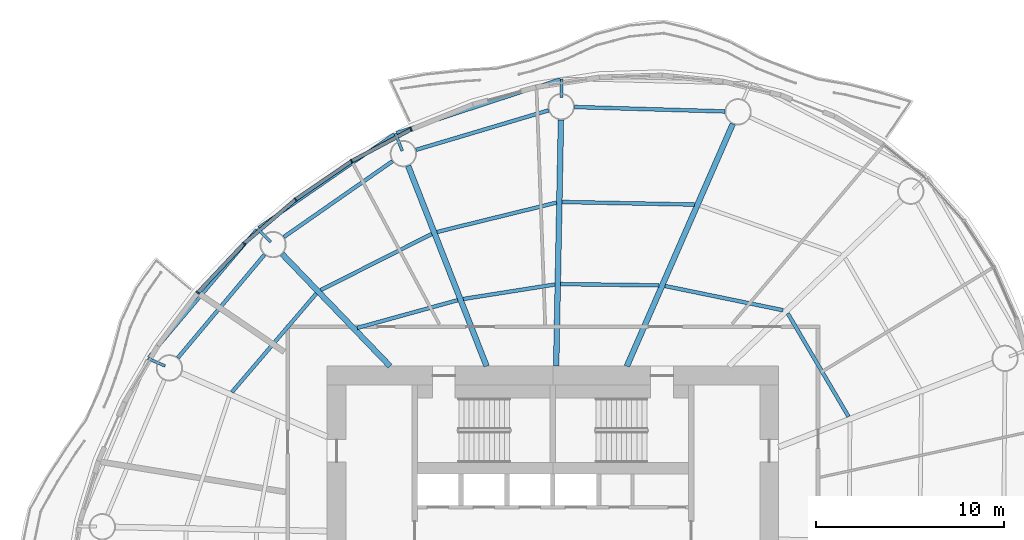
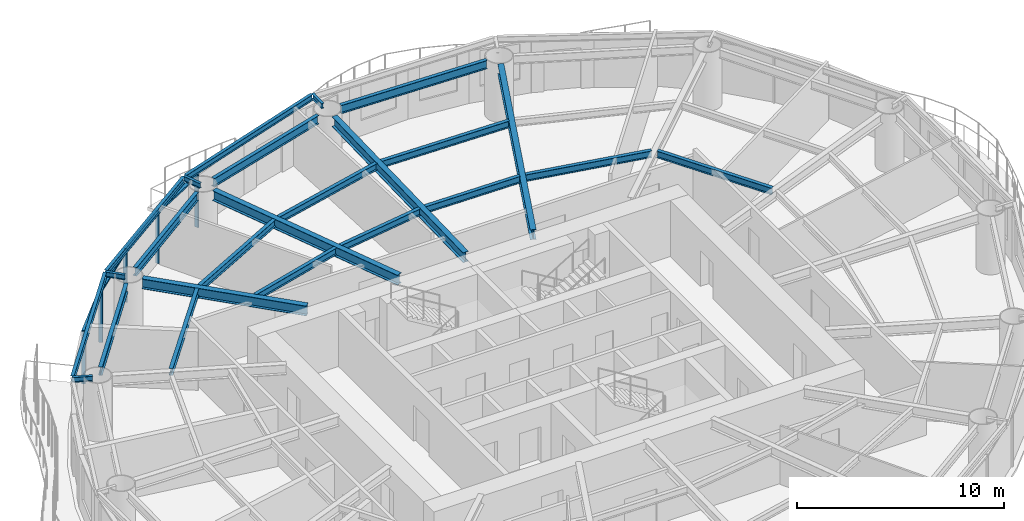
# One storey, part 5 of 15: 24 beams, 9 members, 4 elements without a shape of their own.
"""IFC4 building model written with IfcOpenShell, lengths in metres."""

from ifc_helpers import new_model, si_unit, direction, frame, origin, origin_2d, place, context, subcontext, project, spatial, rectangle, i_section, extrude, material, material_profile, profile_set, type_object, element, aggregate, save


model = new_model("IFC4")

# Units and contexts
model_context = context("Model", 3, precision=1e-05, world=origin(), true_north=direction((0.0, 1.0)))
body_context = subcontext(model_context, "Body", "Model", "MODEL_VIEW")
ifc_project = project(units=[si_unit("LENGTHUNIT", "METRE"), si_unit("AREAUNIT", "SQUARE_METRE"), si_unit("VOLUMEUNIT", "CUBIC_METRE"), si_unit("PLANEANGLEUNIT", "RADIAN"), si_unit("MASSUNIT", "GRAM", prefix="KILO")], contexts=[model_context])

# Site, building, storey
site_placement = place(None, origin())
site = spatial("IfcSite", under=ifc_project, at=site_placement, CompositionType="ELEMENT")
building_placement = place(site_placement, origin())
building = spatial("IfcBuilding", under=site, at=building_placement, Name="Vermilion Reach Broadcast Tower", CompositionType="ELEMENT")
storey_placement = place(building_placement, frame((0.0, 0.0, 183.0)))
storey = spatial("IfcBuildingStorey", under=building, at=storey_placement, Name="L44", CompositionType="ELEMENT", Elevation=183.0)

# Beams
ifc_material_1 = material(Name="Steel S355J2", Category="steel")
ifc_material_profile_1 = material_profile(ifc_material_1, i_section(OverallWidth=0.175048828125, OverallDepth=0.35009765625, WebThickness=0.007080078125, FlangeThickness=0.010986328125, at=origin_2d()), Name="S355J2 HN 350x175x7x11")
ifc_profile_set_1 = profile_set([ifc_material_profile_1], Name="Steel S355J2")
beam_type_1 = type_object("IfcBeamType", Name="EB3 HN 350x175x7x11", PredefinedType="BEAM", material=ifc_profile_set_1)
beam_1_placement = place(storey_placement, frame((-5.60498046875, 24.253173828125, 3.27490234375), z_axis=(-0.950176969357, -0.311710966928, 0.0), x_axis=(0.311710966928, -0.950176969357, 0.0)))
element("IfcBeam", 1, at=beam_1_placement, inside=storey, type_object=beam_type_1, Name="Edge beam EB3-03", PredefinedType="BEAM", context=body_context, shape_type="SweptSolid", body=[
    extrude(i_section(OverallWidth=0.175048828125, OverallDepth=0.35009765625, WebThickness=0.007080078125, FlangeThickness=0.010986328125, at=origin_2d()), origin(), (0.0, 0.0, 1.0), 9.15283203125),
])
beam_2_placement = place(storey_placement, frame((-14.4365234375, 21.3330078125, 3.27490234375), z_axis=(-0.822726304078, -0.568437708618, 0.0), x_axis=(0.568437708618, -0.822726304078, 0.0)))
element("IfcBeam", 2, at=beam_2_placement, inside=storey, type_object=beam_type_1, Name="Edge beam EB3-04", PredefinedType="BEAM", context=body_context, shape_type="SweptSolid", body=[
    extrude(i_section(OverallWidth=0.175048828125, OverallDepth=0.35009765625, WebThickness=0.007080078125, FlangeThickness=0.010986328125, at=origin_2d()), origin(), (0.0, 0.0, 1.0), 8.748291015625),
])
beam_3_placement = place(storey_placement, frame((-21.745361328125, 16.25927734375, 3.27490234375), z_axis=(-0.645529615805, -0.763735238887, 0.0), x_axis=(0.763735238887, -0.645529615805, 0.0)))
element("IfcBeam", 3, at=beam_3_placement, inside=storey, type_object=beam_type_1, Name="Edge beam EB3-05", PredefinedType="BEAM", context=body_context, shape_type="SweptSolid", body=[
    extrude(i_section(OverallWidth=0.175048828125, OverallDepth=0.35009765625, WebThickness=0.007080078125, FlangeThickness=0.010986328125, at=origin_2d()), origin(), (0.0, 0.0, 1.0), 8.887451171875),
])
ifc_material_2 = material(Name="Steel S355J2", Category="steel")
ifc_material_profile_2 = material_profile(ifc_material_2, i_section(OverallWidth=0.300048828125, OverallDepth=0.587890625, WebThickness=0.011962890625, FlangeThickness=0.02001953125, at=origin_2d()), Name="S355J2 HM 588x300x12x20")
ifc_profile_set_2 = profile_set([ifc_material_profile_2], Name="Steel S355J2")
beam_type_2 = type_object("IfcBeamType", Name="G3 HM 588x300x12x20", PredefinedType="BEAM", material=ifc_profile_set_2)
beam_4_placement = place(storey_placement, frame((-2.066162109375, 9.0, 3.156005859375), z_axis=(0.400519113205, 0.916288404356, 0.0), x_axis=(-0.916288404356, 0.400519113205, 0.0)))
element("IfcBeam", 4, at=beam_4_placement, inside=storey, type_object=beam_type_2, Name="Girder G3-02", PredefinedType="BEAM", context=body_context, shape_type="SweptSolid", body=[
    extrude(i_section(OverallWidth=0.300048828125, OverallDepth=0.587890625, WebThickness=0.011962890625, FlangeThickness=0.02001953125, at=origin_2d()), origin(), (0.0, 0.0, 1.0), 14.0595703125),
])
beam_5_placement = place(storey_placement, frame((-5.82568359375, 9.0, 3.156005859375), z_axis=(0.019378372481, 0.99981222171, 0.0), x_axis=(-0.99981222171, 0.019378372481, 0.0)))
element("IfcBeam", 5, at=beam_5_placement, inside=storey, type_object=beam_type_2, Name="Girder G3-03", PredefinedType="BEAM", context=body_context, shape_type="SweptSolid", body=[
    extrude(i_section(OverallWidth=0.300048828125, OverallDepth=0.587890625, WebThickness=0.011962890625, FlangeThickness=0.02001953125, at=origin_2d()), origin(), (0.0, 0.0, 1.0), 13.1025390625),
])
beam_6_placement = place(storey_placement, frame((-9.525146484375, 9.0, 3.156005859375), z_axis=(-0.364715649973, 0.931118947646, 0.0), x_axis=(-0.931118947646, -0.364715649973, 0.0)))
element("IfcBeam", 6, at=beam_6_placement, inside=storey, type_object=beam_type_2, Name="Girder G3-04", PredefinedType="BEAM", context=body_context, shape_type="SweptSolid", body=[
    extrude(i_section(OverallWidth=0.300048828125, OverallDepth=0.587890625, WebThickness=0.011962890625, FlangeThickness=0.02001953125, at=origin_2d()), origin(), (0.0, 0.0, 1.0), 11.436767578125),
])
beam_7_placement = place(storey_placement, frame((-14.657958984375, 9.0, 3.156005859375), z_axis=(-0.693282657492, 0.72066577331, 0.0), x_axis=(-0.72066577331, -0.693282657492, 0.0)))
element("IfcBeam", 7, at=beam_7_placement, inside=storey, type_object=beam_type_2, Name="Girder G3-05", PredefinedType="BEAM", context=body_context, shape_type="SweptSolid", body=[
    extrude(i_section(OverallWidth=0.300048828125, OverallDepth=0.587890625, WebThickness=0.011962890625, FlangeThickness=0.02001953125, at=origin_2d()), origin(), (0.0, 0.0, 1.0), 8.273681640625),
])
ifc_material_3 = material(Name="Steel S355J2", Category="steel")
ifc_material_profile_3 = material_profile(ifc_material_3, i_section(OverallWidth=0.14990234375, OverallDepth=0.300048828125, WebThickness=0.006591796875, FlangeThickness=0.009033203125, at=origin_2d()), Name="S355J2 HN 300x150x6.5x9")
ifc_profile_set_3 = profile_set([ifc_material_profile_3], Name="Steel S355J2")
beam_type_3 = type_object("IfcBeamType", Name="GS3 HN 300x150x6.5x9", PredefinedType="BEAM", material=ifc_profile_set_3)
for number, where, z_axis, x_axis, name in (
    (8, (-5.549072265625, 23.2783203125, 3.300048828125), (0.019532292583, 0.999809226576, 0.0), (-0.999809226576, 0.019532292583, 0.0), "Cantilever stub GS3-03"),
    (9, (-14.008544921875, 20.44580078125, 3.300048828125), (-0.364730702407, 0.931113051526, 0.0), (-0.931113051526, -0.364730702407, 0.0), "Cantilever stub GS3-04"),
    (10, (-21.00341796875, 15.59619140625, 3.300048828125), (-0.69317702606, 0.720767376164, 0.0), (-0.720767376164, -0.69317702606, 0.0), "Cantilever stub GS3-05"),
    (11, (-26.616455078125, 9.011474609375, 3.300048828125), (-0.916330962408, 0.400421736837, 0.0), (-0.400421736837, -0.916330962408, 0.0), "Cantilever stub GS3-06"),
):
    element("IfcBeam", number, at=place(storey_placement, frame(where, z_axis=z_axis, x_axis=x_axis)), inside=storey, type_object=beam_type_3, Name=name, PredefinedType="BEAM", context=body_context, shape_type="SweptSolid", body=[
        extrude(i_section(OverallWidth=0.14990234375, OverallDepth=0.300048828125, WebThickness=0.006591796875, FlangeThickness=0.009033203125, at=origin_2d()), origin(), (0.0, 0.0, 1.0), 1.0),
    ])
ifc_material_4 = material(Name="Steel S355J2", Category="steel")
ifc_material_profile_4 = material_profile(ifc_material_4, i_section(OverallWidth=0.199951171875, OverallDepth=0.5, WebThickness=0.010009765625, FlangeThickness=0.01611328125, at=origin_2d()), Name="S355J2 HN 500x200x10x16")
ifc_profile_set_4 = profile_set([ifc_material_profile_4], Name="Steel S355J2")
beam_type_4 = type_object("IfcBeamType", Name="RB3 HN 500x200x10x16", PredefinedType="BEAM", material=ifc_profile_set_4)
beam_8_placement = place(storey_placement, frame((3.1455078125, 22.544677734375, 3.199951171875), z_axis=(-0.999569781146, 0.029330063427, 0.0), x_axis=(-0.029330063427, -0.999569781146, 0.0)))
element("IfcBeam", 12, at=beam_8_placement, inside=storey, type_object=beam_type_4, Name="Ring beam RB3-02", PredefinedType="BEAM", context=body_context, shape_type="SweptSolid", body=[
    extrude(i_section(OverallWidth=0.199951171875, OverallDepth=0.5, WebThickness=0.010009765625, FlangeThickness=0.01611328125, at=origin_2d()), origin(), (0.0, 0.0, 1.0), 8.007568359375),
])
beam_9_placement = place(storey_placement, frame((-6.229248046875, 22.60009765625, 3.199951171875), z_axis=(-0.958416970322, -0.285371531516, 0.0), x_axis=(0.285371531516, -0.958416970322, 0.0)))
element("IfcBeam", 13, at=beam_9_placement, inside=storey, type_object=beam_type_4, Name="Ring beam RB3-03", PredefinedType="BEAM", context=body_context, shape_type="SweptSolid", body=[
    extrude(i_section(OverallWidth=0.199951171875, OverallDepth=0.5, WebThickness=0.010009765625, FlangeThickness=0.01611328125, at=origin_2d()), origin(), (0.0, 0.0, 1.0), 7.357421875),
])
beam_10_placement = place(storey_placement, frame((-14.525634765625, 19.900146484375, 3.199951171875), z_axis=(-0.820111453349, -0.572203813415, 0.0), x_axis=(0.572203813415, -0.820111453349, 0.0)))
element("IfcBeam", 14, at=beam_10_placement, inside=storey, type_object=beam_type_4, Name="Ring beam RB3-04", PredefinedType="BEAM", context=body_context, shape_type="SweptSolid", body=[
    extrude(i_section(OverallWidth=0.199951171875, OverallDepth=0.5, WebThickness=0.010009765625, FlangeThickness=0.01611328125, at=origin_2d()), origin(), (0.0, 0.0, 1.0), 7.04736328125),
])
beam_11_placement = place(storey_placement, frame((-21.32958984375, 14.931396484375, 3.199951171875), z_axis=(-0.643350337931, -0.765571905626, 0.0), x_axis=(0.765571905626, -0.643350337931, 0.0)))
element("IfcBeam", 15, at=beam_11_placement, inside=storey, type_object=beam_type_4, Name="Ring beam RB3-05", PredefinedType="BEAM", context=body_context, shape_type="SweptSolid", body=[
    extrude(i_section(OverallWidth=0.199951171875, OverallDepth=0.5, WebThickness=0.010009765625, FlangeThickness=0.01611328125, at=origin_2d()), origin(), (0.0, 0.0, 1.0), 7.1630859375),
])
ifc_material_5 = material(Name="Steel S355J2", Category="steel")
ifc_material_profile_5 = material_profile(ifc_material_5, i_section(OverallWidth=0.199951171875, OverallDepth=0.39990234375, WebThickness=0.008056640625, FlangeThickness=0.012939453125, at=origin_2d()), Name="S355J2 HN 400x200x8x13")
ifc_profile_set_5 = profile_set([ifc_material_profile_5], Name="Steel S355J2")
beam_type_5 = type_object("IfcBeamType", Name="SB3 HN 400x200x8x13", PredefinedType="BEAM", material=ifc_profile_set_5)
beam_12_placement = place(storey_placement, frame((6.232666015625, 11.975830078125, 3.25), z_axis=(-0.97956765607, 0.201114910391, 0.0), x_axis=(-0.201114910391, -0.97956765607, 0.0)))
element("IfcBeam", 16, at=beam_12_placement, inside=storey, type_object=beam_type_5, Name="Secondary beam SB3-01-1", PredefinedType="BEAM", context=body_context, shape_type="SweptSolid", body=[
    extrude(i_section(OverallWidth=0.199951171875, OverallDepth=0.39990234375, WebThickness=0.008056640625, FlangeThickness=0.012939453125, at=origin_2d()), origin(), (0.0, 0.0, 1.0), 6.40234375),
])
beam_13_placement = place(storey_placement, frame((-0.351806640625, 13.29638671875, 3.25), z_axis=(-0.999914891843, 0.013046419838, 0.0), x_axis=(-0.013046419838, -0.999914891843, 0.0)))
element("IfcBeam", 17, at=beam_13_placement, inside=storey, type_object=beam_type_5, Name="Secondary beam SB3-02-1", PredefinedType="BEAM", context=body_context, shape_type="SweptSolid", body=[
    extrude(i_section(OverallWidth=0.199951171875, OverallDepth=0.39990234375, WebThickness=0.008056640625, FlangeThickness=0.012939453125, at=origin_2d()), origin(), (0.0, 0.0, 1.0), 5.23974609375),
])
beam_14_placement = place(storey_placement, frame((1.525634765625, 17.591552734375, 3.25), z_axis=(-0.999804929321, 0.019751033045, 0.0), x_axis=(-0.019751033045, -0.999804929321, 0.0)))
element("IfcBeam", 18, at=beam_14_placement, inside=storey, type_object=beam_type_5, Name="Secondary beam SB3-02-2", PredefinedType="BEAM", context=body_context, shape_type="SweptSolid", body=[
    extrude(i_section(OverallWidth=0.199951171875, OverallDepth=0.39990234375, WebThickness=0.008056640625, FlangeThickness=0.012939453125, at=origin_2d()), origin(), (0.0, 0.0, 1.0), 7.033447265625),
])
beam_15_placement = place(storey_placement, frame((-5.8916015625, 13.343017578125, 3.25), z_axis=(-0.987756142208, -0.15600578044, 0.0), x_axis=(0.15600578044, -0.987756142208, 0.0)))
element("IfcBeam", 19, at=beam_15_placement, inside=storey, type_object=beam_type_5, Name="Secondary beam SB3-03-1", PredefinedType="BEAM", context=body_context, shape_type="SweptSolid", body=[
    extrude(i_section(OverallWidth=0.199951171875, OverallDepth=0.39990234375, WebThickness=0.008056640625, FlangeThickness=0.012939453125, at=origin_2d()), origin(), (0.0, 0.0, 1.0), 4.9326171875),
])
beam_16_placement = place(storey_placement, frame((-5.80712890625, 17.6962890625, 3.25), z_axis=(-0.971111691931, -0.238625400566, 0.0), x_axis=(0.238625400566, -0.971111691931, 0.0)))
element("IfcBeam", 20, at=beam_16_placement, inside=storey, type_object=beam_type_5, Name="Secondary beam SB3-03-2", PredefinedType="BEAM", context=body_context, shape_type="SweptSolid", body=[
    extrude(i_section(OverallWidth=0.199951171875, OverallDepth=0.39990234375, WebThickness=0.008056640625, FlangeThickness=0.012939453125, at=origin_2d()), origin(), (0.0, 0.0, 1.0), 6.540771484375),
])
beam_17_placement = place(storey_placement, frame((-11.06103515625, 12.509521484375, 3.25), z_axis=(-0.963889790258, -0.266301468708, 0.0), x_axis=(0.266301468708, -0.963889790258, 0.0)))
element("IfcBeam", 21, at=beam_17_placement, inside=storey, type_object=beam_type_5, Name="Secondary beam SB3-04-1", PredefinedType="BEAM", context=body_context, shape_type="SweptSolid", body=[
    extrude(i_section(OverallWidth=0.199951171875, OverallDepth=0.39990234375, WebThickness=0.008056640625, FlangeThickness=0.012939453125, at=origin_2d()), origin(), (0.0, 0.0, 1.0), 5.544677734375),
])
beam_18_placement = place(storey_placement, frame((-12.4404296875, 16.03125, 3.25), z_axis=(-0.892320561657, -0.451402276516, 0.0), x_axis=(0.451402276516, -0.892320561657, 0.0)))
element("IfcBeam", 22, at=beam_18_placement, inside=storey, type_object=beam_type_5, Name="Secondary beam SB3-04-2", PredefinedType="BEAM", context=body_context, shape_type="SweptSolid", body=[
    extrude(i_section(OverallWidth=0.199951171875, OverallDepth=0.39990234375, WebThickness=0.008056640625, FlangeThickness=0.012939453125, at=origin_2d()), origin(), (0.0, 0.0, 1.0), 6.613525390625),
])
beam_19_placement = place(storey_placement, frame((-18.579833984375, 12.860595703125, 3.25), z_axis=(-0.650167134505, -0.759791219487, 0.0), x_axis=(0.759791219487, -0.650167134505, 0.0)))
element("IfcBeam", 23, at=beam_19_placement, inside=storey, type_object=beam_type_5, Name="Secondary beam SB3-05-2", PredefinedType="BEAM", context=body_context, shape_type="SweptSolid", body=[
    extrude(i_section(OverallWidth=0.199951171875, OverallDepth=0.39990234375, WebThickness=0.008056640625, FlangeThickness=0.012939453125, at=origin_2d()), origin(), (0.0, 0.0, 1.0), 6.89501953125),
])
beam_20_placement = place(storey_placement, frame((9.71923828125, 6.318115234375, 3.25), z_axis=(-0.507249643612, 0.861799163991, 0.0), x_axis=(-0.861799163991, -0.507249643612, 0.0)))
element("IfcBeam", 24, at=beam_20_placement, inside=storey, type_object=beam_type_5, Name="Secondary beam SB3-16-1", PredefinedType="BEAM", context=body_context, shape_type="SweptSolid", body=[
    extrude(i_section(OverallWidth=0.199951171875, OverallDepth=0.39990234375, WebThickness=0.008056640625, FlangeThickness=0.012939453125, at=origin_2d()), origin(), (0.0, 0.0, 1.0), 6.3681640625),
])

# Curtain wall, member
ifc_material_6 = material(Name="Low-e laminated clear glass in aluminium frame", Category="aluminium")
curtain_wall_type = type_object("IfcCurtainWallType", Name="Slot curtain wall", PredefinedType="NOTDEFINED", material=ifc_material_6)
placement = place(storey_placement, origin())
curtain_wall_1 = element("IfcCurtainWall", 25, at=placement, inside=storey, type_object=curtain_wall_type, Name="Slot curtain wall L44 10", PredefinedType="NOTDEFINED")
ifc_material_7 = material(Name="Anodised aluminium", Category="aluminium")
ifc_material_profile_6 = material_profile(ifc_material_7, rectangle(XDim=0.199951171875, YDim=0.080078125, at=origin_2d()), Name="Slot mullion 80 x 200")
ifc_profile_set_6 = profile_set([ifc_material_profile_6], Name="Anodised aluminium")
member_type_1 = type_object("IfcMemberType", Name="Slot mullion 80 x 200", PredefinedType="MULLION", material=ifc_profile_set_6)
member_1_placement = place(storey_placement, frame((-13.542724609375, 21.58935546875, 0.0), z_axis=(0.0, 0.0, 1.0), x_axis=(0.423235079569, -0.90601990454, 0.0)))
member_1 = element("IfcMember", 26, at=member_1_placement, type_object=member_type_1, Name="Slot mullion L44 10", PredefinedType="MULLION", context=body_context, shape_type="SweptSolid", body=[
    extrude(rectangle(XDim=0.199951171875, YDim=0.080078125, at=origin_2d()), origin(), (0.0, 0.0, 1.0), 3.10009765625),
])

curtain_wall_2 = element("IfcCurtainWall", 27, at=placement, inside=storey, type_object=curtain_wall_type, Name="Slot curtain wall L44 11", PredefinedType="NOTDEFINED")
member_2_placement = place(storey_placement, frame((-16.701416015625, 19.89697265625, 0.0), z_axis=(0.0, 0.0, 1.0), x_axis=(0.519132337817, -0.854693872584, 0.0)))
member_2 = element("IfcMember", 28, at=member_2_placement, type_object=member_type_1, Name="Slot mullion L44 11", PredefinedType="MULLION", context=body_context, shape_type="SweptSolid", body=[
    extrude(rectangle(XDim=0.199951171875, YDim=0.080078125, at=origin_2d()), origin(), (0.0, 0.0, 1.0), 3.10009765625),
])

curtain_wall_3 = element("IfcCurtainWall", 29, at=placement, inside=storey, type_object=curtain_wall_type, Name="Slot curtain wall L44 12", PredefinedType="NOTDEFINED")
member_3_placement = place(storey_placement, frame((-19.676513671875, 17.8623046875, 0.0), z_axis=(0.0, 0.0, 1.0), x_axis=(0.607930266154, -0.793990422797, 0.0)))
member_3 = element("IfcMember", 30, at=member_3_placement, type_object=member_type_1, Name="Slot mullion L44 12", PredefinedType="MULLION", context=body_context, shape_type="SweptSolid", body=[
    extrude(rectangle(XDim=0.199951171875, YDim=0.080078125, at=origin_2d()), origin(), (0.0, 0.0, 1.0), 3.10009765625),
])

# Curtain wall, members
curtain_wall_4 = element("IfcCurtainWall", 31, at=placement, inside=storey, type_object=curtain_wall_type, Name="Slot curtain wall L44 13", PredefinedType="NOTDEFINED")
member_4_placement = place(storey_placement, frame((-22.416748046875, 15.52099609375, 0.0), z_axis=(0.0, 0.0, 1.0), x_axis=(0.689694433642, -0.724100537359, 0.0)))
member_4 = element("IfcMember", 32, at=member_4_placement, type_object=member_type_1, Name="Slot mullion L44 13", PredefinedType="MULLION", context=body_context, shape_type="SweptSolid", body=[
    extrude(rectangle(XDim=0.199951171875, YDim=0.080078125, at=origin_2d()), origin(), (0.0, 0.0, 1.0), 3.10009765625),
])
member_5_placement = place(storey_placement, frame((-24.87451171875, 12.9130859375, 0.0), z_axis=(0.0, 0.0, 1.0), x_axis=(0.764257717963, -0.644910955508, 0.0)))
member_5 = element("IfcMember", 33, at=member_5_placement, type_object=member_type_1, Name="Slot mullion L44 14", PredefinedType="MULLION", context=body_context, shape_type="SweptSolid", body=[
    extrude(rectangle(XDim=0.199951171875, YDim=0.080078125, at=origin_2d()), origin(), (0.0, 0.0, 1.0), 3.10009765625),
])

# Member
ifc_material_8 = material(Name="Anodised aluminium", Category="aluminium")
ifc_material_profile_7 = material_profile(ifc_material_8, rectangle(XDim=0.199951171875, YDim=0.10009765625, at=origin_2d()), Name="Slot transom 200 x 100")
ifc_profile_set_7 = profile_set([ifc_material_profile_7], Name="Anodised aluminium")
member_type_2 = type_object("IfcMemberType", Name="Slot transom 200 x 100", PredefinedType="USERDEFINED", material=ifc_profile_set_7)
member_6_placement = place(storey_placement, frame((-13.577880859375, 21.570556640625, 3.050048828125), z_axis=(-0.881444748045, -0.472287154328, 0.0), x_axis=(0.472287154328, -0.881444748045, 0.0)))
member_6 = element("IfcMember", 34, at=member_6_placement, type_object=member_type_2, Name="Slot transom L44 10.1", ObjectType="TRANSOM", PredefinedType="USERDEFINED", context=body_context, shape_type="SweptSolid", body=[
    extrude(rectangle(XDim=0.199951171875, YDim=0.10009765625, at=origin_2d()), origin(), (0.0, 0.0, 1.0), 3.503662109375),
])

aggregate(curtain_wall_1, [member_1, member_6])

member_7_placement = place(storey_placement, frame((-16.734375, 19.874267578125, 3.050048828125), z_axis=(-0.825470347749, -0.564445484513, 0.0), x_axis=(0.564445484513, -0.825470347749, 0.0)))
member_7 = element("IfcMember", 35, at=member_7_placement, type_object=member_type_2, Name="Slot transom L44 11.1", ObjectType="TRANSOM", PredefinedType="USERDEFINED", context=body_context, shape_type="SweptSolid", body=[
    extrude(rectangle(XDim=0.199951171875, YDim=0.10009765625, at=origin_2d()), origin(), (0.0, 0.0, 1.0), 3.524169921875),
])

aggregate(curtain_wall_2, [member_2, member_7])

member_8_placement = place(storey_placement, frame((-19.70703125, 17.83642578125, 3.050048828125), z_axis=(-0.760223982255, -0.64966106302, 0.0), x_axis=(0.64966106302, -0.760223982255, 0.0)))
member_8 = element("IfcMember", 36, at=member_8_placement, type_object=member_type_2, Name="Slot transom L44 12.1", ObjectType="TRANSOM", PredefinedType="USERDEFINED", context=body_context, shape_type="SweptSolid", body=[
    extrude(rectangle(XDim=0.199951171875, YDim=0.10009765625, at=origin_2d()), origin(), (0.0, 0.0, 1.0), 3.524169921875),
])

aggregate(curtain_wall_3, [member_3, member_8])

member_9_placement = place(storey_placement, frame((-22.444091796875, 15.491943359375, 3.050048828125), z_axis=(-0.68585792557, -0.727735464254, 0.0), x_axis=(0.727735464254, -0.68585792557, 0.0)))
member_9 = element("IfcMember", 37, at=member_9_placement, type_object=member_type_2, Name="Slot transom L44 13.1", ObjectType="TRANSOM", PredefinedType="USERDEFINED", context=body_context, shape_type="SweptSolid", body=[
    extrude(rectangle(XDim=0.199951171875, YDim=0.10009765625, at=origin_2d()), origin(), (0.0, 0.0, 1.0), 3.503662109375),
])

aggregate(curtain_wall_4, [member_4, member_5, member_9])

save(model, "model.ifc")
